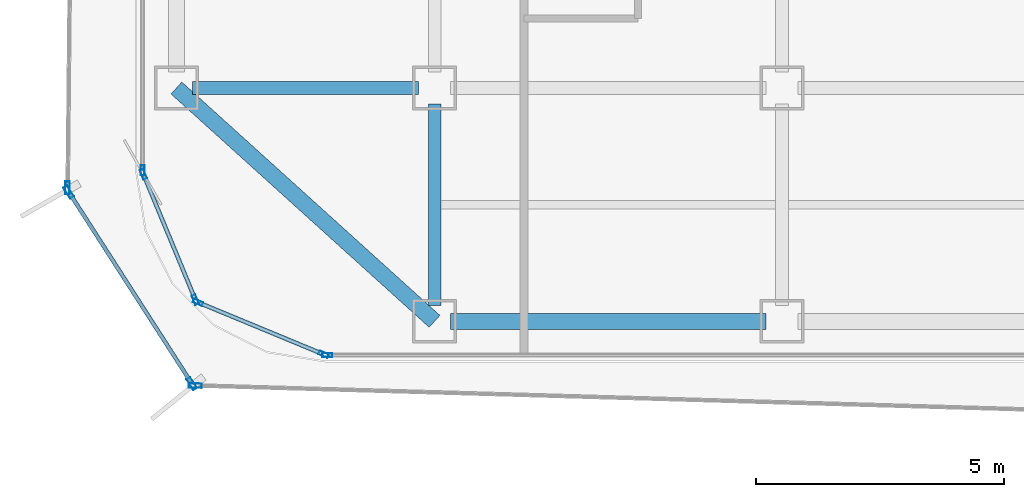
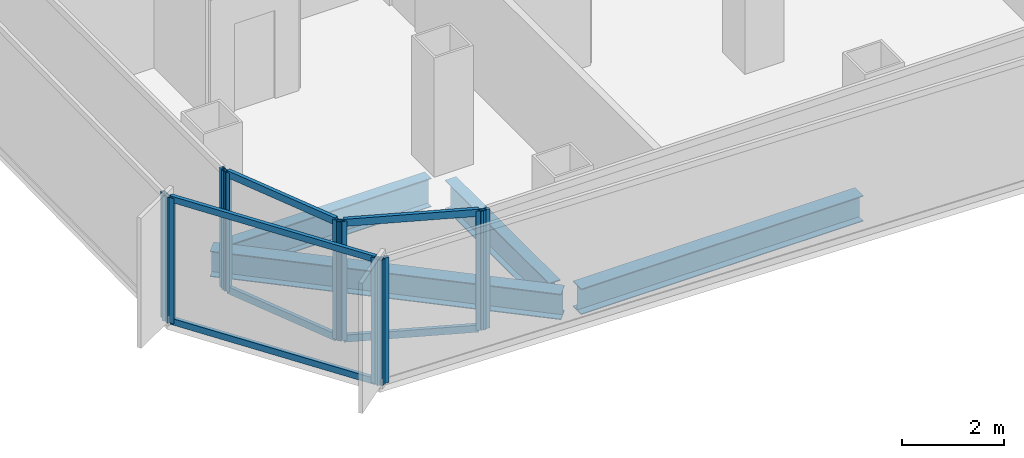
# One storey, part 2 of 21: 16 members, 4 beams, 7 elements without a shape of their own.
"""IFC4 building model written with IfcOpenShell, lengths in metres."""

from ifc_helpers import new_model, si_unit, direction, frame, origin, origin_2d, place, context, subcontext, project, spatial, hollow_rectangle, i_section, extrude, source, transform, mapped, material, layer, layer_set, material_profile, profile_set, type_object, element, aggregate, save


model = new_model("IFC4")

# Units and contexts
model_context = context("Model", 3, precision=1e-05, world=origin(), true_north=direction((0.0, 1.0)))
body_context = subcontext(model_context, "Body", "Model", "MODEL_VIEW")
ifc_project = project(units=[si_unit("LENGTHUNIT", "METRE"), si_unit("AREAUNIT", "SQUARE_METRE"), si_unit("VOLUMEUNIT", "CUBIC_METRE"), si_unit("PLANEANGLEUNIT", "RADIAN"), si_unit("MASSUNIT", "GRAM", prefix="KILO")], contexts=[model_context])

# Site, building, storey
site_placement = place(None, origin())
site = spatial("IfcSite", under=ifc_project, at=site_placement, CompositionType="ELEMENT")
building_placement = place(site_placement, origin())
building = spatial("IfcBuilding", under=site, at=building_placement, Name="Kolveth Station Tower", CompositionType="ELEMENT")
storey_placement = place(building_placement, frame((0.0, 0.0, 148.39990234375)))
storey = spatial("IfcBuildingStorey", under=building, at=storey_placement, Name="L41", CompositionType="ELEMENT", Elevation=148.39990234375)

# Beams
ifc_material_1 = material(Name="Steel S355", Category="steel")
ifc_material_profile_1 = material_profile(ifc_material_1, i_section(OverallWidth=0.323974609375, OverallDepth=0.611083984375, WebThickness=0.0126953125, FlangeThickness=0.01904296875, at=origin_2d()), Name="W610x155")
ifc_profile_set_1 = profile_set([ifc_material_profile_1], Name="Steel S355")
beam_type_1 = type_object("IfcBeamType", Name="Beam_SP2", PredefinedType="SPANDREL", material=ifc_profile_set_1)
shared_shape_1 = source(origin(), body_context, "Body", "SweptSolid", [
    extrude(i_section(OverallWidth=0.323974609375, OverallDepth=0.611083984375, WebThickness=0.0126953125, FlangeThickness=0.01904296875, at=origin_2d()), origin(), (0.0, 0.0, 1.0), 6.35986328125),
])
beam_1_placement = place(storey_placement, frame((6.320068359375, 0.800048828125, -0.555419921875), z_axis=(1.0, 0.0, 0.0), x_axis=(0.0, 1.0, 0.0)))
element("IfcBeam", 1, at=beam_1_placement, inside=storey, type_object=beam_type_1, Name="L41 Perimeter Spandrel BM-L41-PS-1", PredefinedType="SPANDREL", context=body_context, shape_type="MappedRepresentation", body=[
    mapped(shared_shape_1, transform((0.0, 0.0, 0.0), x_axis=(1.0, 0.0, 0.0), y_axis=(0.0, 1.0, 0.0), z_axis=(0.0, 0.0, 1.0), scale=1.0)),
])
shared_shape_2 = source(origin(), body_context, "Body", "SweptSolid", [
    extrude(i_section(OverallWidth=0.323974609375, OverallDepth=0.611083984375, WebThickness=0.0126953125, FlangeThickness=0.01904296875, at=origin_2d()), origin(), (0.0, 0.0, 1.0), 7.00927734375),
])
beam_2_placement = place(storey_placement, frame((0.800048828125, 5.5, -0.555419921875), z_axis=(0.741874009795, -0.670539300557, 0.0), x_axis=(0.670539300557, 0.741874009795, 0.0)))
element("IfcBeam", 2, at=beam_2_placement, inside=storey, type_object=beam_type_1, Name="L41 Corner Edge Girder BM-L41-CNR-SW", PredefinedType="SPANDREL", context=body_context, shape_type="MappedRepresentation", body=[
    mapped(shared_shape_2, transform((0.0, 0.0, 0.0), x_axis=(1.0, 0.0, 0.0), y_axis=(0.0, 1.0, 0.0), z_axis=(0.0, 0.0, 1.0), scale=1.0)),
])
ifc_material_profile_2 = material_profile(ifc_material_1, i_section(OverallWidth=0.25390625, OverallDepth=0.68798828125, WebThickness=0.01318359375, FlangeThickness=0.02099609375, at=origin_2d()), Name="W690x152")
ifc_profile_set_2 = profile_set([ifc_material_profile_2], Name="Steel S355")
beam_type_2 = type_object("IfcBeamType", Name="Beam_B4", PredefinedType="BEAM", material=ifc_profile_set_2)
shared_shape_3 = source(origin(), body_context, "Body", "SweptSolid", [
    extrude(i_section(OverallWidth=0.25390625, OverallDepth=0.68798828125, WebThickness=0.01318359375, FlangeThickness=0.02099609375, at=origin_2d()), origin(), (0.0, 0.0, 1.0), 4.559814453125),
])
beam_3_placement = place(storey_placement, frame((1.1201171875, 5.5, -0.593994140625), z_axis=(1.0, 0.0, 0.0), x_axis=(0.0, 1.0, 0.0)))
element("IfcBeam", 3, at=beam_3_placement, inside=storey, type_object=beam_type_2, Name="L41 Primary Girder BM-L41-GY55-1", PredefinedType="BEAM", context=body_context, shape_type="MappedRepresentation", body=[
    mapped(shared_shape_3, transform((0.0, 0.0, 0.0), x_axis=(1.0, 0.0, 0.0), y_axis=(0.0, 1.0, 0.0), z_axis=(0.0, 0.0, 1.0), scale=1.0)),
])
shared_shape_4 = source(origin(), body_context, "Body", "SweptSolid", [
    extrude(i_section(OverallWidth=0.25390625, OverallDepth=0.68798828125, WebThickness=0.01318359375, FlangeThickness=0.02099609375, at=origin_2d()), origin(), (0.0, 0.0, 1.0), 4.059814453125),
])
beam_4_placement = place(storey_placement, frame((6.0, 1.1201171875, -0.593994140625), z_axis=(0.0, 1.0, 0.0), x_axis=(-1.0, 0.0, 0.0)))
element("IfcBeam", 4, at=beam_4_placement, inside=storey, type_object=beam_type_2, Name="L41 Primary Girder BM-L41-GX60-1", PredefinedType="BEAM", context=body_context, shape_type="MappedRepresentation", body=[
    mapped(shared_shape_4, transform((0.0, 0.0, 0.0), x_axis=(1.0, 0.0, 0.0), y_axis=(0.0, 1.0, 0.0), z_axis=(0.0, 0.0, 1.0), scale=1.0)),
])

# Curtain wall, members
ifc_material_2 = material(Name="Aluminium 6063-T6 and low-E dark glass", Category="aluminium")
ifc_layer_1 = layer(ifc_material_2, 0.18994140625)
ifc_layer_set_1 = layer_set([ifc_layer_1], Name="Aluminium 6063-T6 and low-E dark glass")
curtain_wall_type_1 = type_object("IfcCurtainWallType", Name="CurtainWall_CW-Z2", PredefinedType="NOTDEFINED", material=ifc_layer_set_1)
curtain_wall_1_placement = place(storey_placement, origin())
curtain_wall_1 = element("IfcCurtainWall", 5, at=curtain_wall_1_placement, inside=storey, type_object=curtain_wall_type_1, Name="L41 Inner Thermal Curtain Wall 10", PredefinedType="NOTDEFINED")
ifc_material_3 = material(Name="Black anodized aluminium 6063-T6", Category="aluminium")
ifc_material_profile_3 = material_profile(ifc_material_3, hollow_rectangle(XDim=0.080078125, YDim=0.169921875, WallThickness=0.0048828125, at=origin_2d()), Name="ALU-80x170x5")
ifc_profile_set_3 = profile_set([ifc_material_profile_3], Name="Black anodized aluminium 6063-T6")
member_type_1 = type_object("IfcMemberType", Name="Transom_TR2", PredefinedType="USERDEFINED", material=ifc_profile_set_3)
shared_shape_5 = source(origin(), body_context, "Body", "SweptSolid", [
    extrude(hollow_rectangle(XDim=0.080078125, YDim=0.169921875, WallThickness=0.0048828125, at=origin_2d()), origin(), (0.0, 0.0, 1.0), 2.656494140625),
])
member_1_placement = place(storey_placement, frame((0.150634765625, 3.72607421875, 0.0400390625), z_axis=(0.382676455475, -0.923882422403, 0.0), x_axis=(0.923882422403, 0.382676455475, 0.0)))
member_1 = element("IfcMember", 6, at=member_1_placement, type_object=member_type_1, Name="CW-Z2 transom 1.1", ObjectType="TRANSOM", PredefinedType="USERDEFINED", context=body_context, shape_type="MappedRepresentation", body=[
    mapped(shared_shape_5, transform((0.0, 0.0, 0.0), x_axis=(1.0, 0.0, 0.0), y_axis=(0.0, 1.0, 0.0), z_axis=(0.0, 0.0, 1.0), scale=1.0)),
])
member_2_placement = place(storey_placement, frame((0.150634765625, 3.72607421875, 2.800048828125), z_axis=(0.382676455475, -0.923882422403, 0.0), x_axis=(0.923882422403, 0.382676455475, 0.0)))
member_2 = element("IfcMember", 7, at=member_2_placement, type_object=member_type_1, Name="CW-Z2 transom 1.2", ObjectType="TRANSOM", PredefinedType="USERDEFINED", context=body_context, shape_type="MappedRepresentation", body=[
    mapped(shared_shape_5, transform((0.0, 0.0, 0.0), x_axis=(1.0, 0.0, 0.0), y_axis=(0.0, 1.0, 0.0), z_axis=(0.0, 0.0, 1.0), scale=1.0)),
])

curtain_wall_2_placement = place(storey_placement, origin())
curtain_wall_2 = element("IfcCurtainWall", 8, at=curtain_wall_2_placement, inside=storey, type_object=curtain_wall_type_1, Name="L41 Inner Thermal Curtain Wall 11", PredefinedType="NOTDEFINED")
member_3_placement = place(storey_placement, frame((1.271728515625, 1.167236328125, 0.0400390625), z_axis=(0.923882422403, -0.382676455475, 0.0), x_axis=(0.382676455475, 0.923882422403, 0.0)))
member_3 = element("IfcMember", 9, at=member_3_placement, type_object=member_type_1, Name="CW-Z2 transom 1.1", ObjectType="TRANSOM", PredefinedType="USERDEFINED", context=body_context, shape_type="MappedRepresentation", body=[
    mapped(shared_shape_5, transform((0.0, 0.0, 0.0), x_axis=(1.0, 0.0, 0.0), y_axis=(0.0, 1.0, 0.0), z_axis=(0.0, 0.0, 1.0), scale=1.0)),
])
member_4_placement = place(storey_placement, frame((1.271728515625, 1.167236328125, 2.800048828125), z_axis=(0.923882422403, -0.382676455475, 0.0), x_axis=(0.382676455475, 0.923882422403, 0.0)))
member_4 = element("IfcMember", 10, at=member_4_placement, type_object=member_type_1, Name="CW-Z2 transom 1.2", ObjectType="TRANSOM", PredefinedType="USERDEFINED", context=body_context, shape_type="MappedRepresentation", body=[
    mapped(shared_shape_5, transform((0.0, 0.0, 0.0), x_axis=(1.0, 0.0, 0.0), y_axis=(0.0, 1.0, 0.0), z_axis=(0.0, 0.0, 1.0), scale=1.0)),
])

# Curtain wall, member
ifc_material_4 = material(Name="Black anodized aluminium 6063-T6 and dark solar glass", Category="aluminium")
ifc_layer_2 = layer(ifc_material_4, 0.159912109375)
ifc_layer_set_2 = layer_set([ifc_layer_2], Name="Black anodized aluminium 6063-T6 and dark solar glass")
curtain_wall_type_2 = type_object("IfcCurtainWallType", Name="OUTER SKIN CW-OS", PredefinedType="NOTDEFINED", material=ifc_layer_set_2)
curtain_wall_3_placement = place(storey_placement, origin())
curtain_wall_3 = element("IfcCurtainWall", 11, at=curtain_wall_3_placement, inside=storey, type_object=curtain_wall_type_2, Name="L41 Outer Ventilated Skin Curtain Wall 6", PredefinedType="NOTDEFINED")
ifc_material_profile_4 = material_profile(ifc_material_3, hollow_rectangle(XDim=0.090087890625, YDim=0.260009765625, WallThickness=0.0048828125, at=origin_2d()), Name="ALU-90x260x5")
ifc_profile_set_4 = profile_set([ifc_material_profile_4], Name="Black anodized aluminium 6063-T6")
member_type_2 = type_object("IfcMemberType", Name="FIN MULLION ML-OS", PredefinedType="MULLION", material=ifc_profile_set_4)
shared_shape_6 = source(origin(), body_context, "Body", "SweptSolid", [
    extrude(hollow_rectangle(XDim=0.090087890625, YDim=0.260009765625, WallThickness=0.0048828125, at=origin_2d()), origin(), (0.0, 0.0, 1.0), 2.989990234375),
])
member_5_placement = place(storey_placement, frame((-1.39453125, 3.48974609375, 0.0), z_axis=(0.0, 0.0, 1.0), x_axis=(0.999948904843, -0.010108793407, 0.0)))
member_5 = element("IfcMember", 12, at=member_5_placement, type_object=member_type_2, Name="CW-OS mullion 2", PredefinedType="MULLION", context=body_context, shape_type="MappedRepresentation", body=[
    mapped(shared_shape_6, transform((0.0, 0.0, 0.0), x_axis=(1.0, 0.0, 0.0), y_axis=(0.0, 1.0, 0.0), z_axis=(0.0, 0.0, 1.0), scale=1.0)),
])
aggregate(curtain_wall_3, [member_5])

# Curtain wall, members
curtain_wall_4_placement = place(storey_placement, origin())
curtain_wall_4 = element("IfcCurtainWall", 13, at=curtain_wall_4_placement, inside=storey, type_object=curtain_wall_type_2, Name="L41 Outer Ventilated Skin Curtain Wall 7", PredefinedType="NOTDEFINED")
member_6_placement = place(storey_placement, frame((-1.37060546875, 3.406982421875, 0.0), z_axis=(0.0, 0.0, 1.0), x_axis=(0.841336690772, 0.540511399288, 0.0)))
member_6 = element("IfcMember", 14, at=member_6_placement, type_object=member_type_2, Name="CW-OS mullion 1", PredefinedType="MULLION", context=body_context, shape_type="MappedRepresentation", body=[
    mapped(shared_shape_6, transform((0.0, 0.0, 0.0), x_axis=(1.0, 0.0, 0.0), y_axis=(0.0, 1.0, 0.0), z_axis=(0.0, 0.0, 1.0), scale=1.0)),
])
member_7_placement = place(storey_placement, frame((1.111083984375, -0.455810546875, 0.0), z_axis=(0.0, 0.0, 1.0), x_axis=(0.841336690772, 0.540511399288, 0.0)))
member_7 = element("IfcMember", 15, at=member_7_placement, type_object=member_type_2, Name="CW-OS mullion 2", PredefinedType="MULLION", context=body_context, shape_type="MappedRepresentation", body=[
    mapped(shared_shape_6, transform((0.0, 0.0, 0.0), x_axis=(1.0, 0.0, 0.0), y_axis=(0.0, 1.0, 0.0), z_axis=(0.0, 0.0, 1.0), scale=1.0)),
])

# Curtain wall, member
curtain_wall_5_placement = place(storey_placement, origin())
curtain_wall_5 = element("IfcCurtainWall", 16, at=curtain_wall_5_placement, inside=storey, type_object=curtain_wall_type_2, Name="L41 Outer Ventilated Skin Curtain Wall 8", PredefinedType="NOTDEFINED")
member_8_placement = place(storey_placement, frame((1.18017578125, -0.494873046875, 0.0), z_axis=(0.0, 0.0, 1.0), x_axis=(0.02884275382, 0.999583961232, 0.0)))
member_8 = element("IfcMember", 17, at=member_8_placement, type_object=member_type_2, Name="CW-OS mullion 1", PredefinedType="MULLION", context=body_context, shape_type="MappedRepresentation", body=[
    mapped(shared_shape_6, transform((0.0, 0.0, 0.0), x_axis=(1.0, 0.0, 0.0), y_axis=(0.0, 1.0, 0.0), z_axis=(0.0, 0.0, 1.0), scale=1.0)),
])
aggregate(curtain_wall_5, [member_8])

curtain_wall_6_placement = place(storey_placement, origin())
curtain_wall_6 = element("IfcCurtainWall", 18, at=curtain_wall_6_placement, inside=storey, type_object=curtain_wall_type_1, Name="L41 Inner Thermal Curtain Wall 9", PredefinedType="NOTDEFINED")
ifc_material_profile_5 = material_profile(ifc_material_3, hollow_rectangle(XDim=0.080078125, YDim=0.199951171875, WallThickness=0.0048828125, at=origin_2d()), Name="ALU-80x200x5")
ifc_profile_set_5 = profile_set([ifc_material_profile_5], Name="Black anodized aluminium 6063-T6")
member_type_3 = type_object("IfcMemberType", Name="Mullion_ML2", PredefinedType="MULLION", material=ifc_profile_set_5)
shared_shape_7 = source(origin(), body_context, "Body", "SweptSolid", [
    extrude(hollow_rectangle(XDim=0.080078125, YDim=0.199951171875, WallThickness=0.0048828125, at=origin_2d()), origin(), (0.0, 0.0, 1.0), 2.840087890625),
])
member_9_placement = place(storey_placement, frame((0.1201171875, 3.840087890625, 0.0), z_axis=(0.0, 0.0, 1.0), x_axis=(1.0, 0.0, 0.0)))
member_9 = element("IfcMember", 19, at=member_9_placement, type_object=member_type_3, Name="CW-Z2 mullion 2", PredefinedType="MULLION", context=body_context, shape_type="MappedRepresentation", body=[
    mapped(shared_shape_7, transform((0.0, 0.0, 0.0), x_axis=(1.0, 0.0, 0.0), y_axis=(0.0, 1.0, 0.0), z_axis=(0.0, 0.0, 1.0), scale=1.0)),
])
aggregate(curtain_wall_6, [member_9])

# Member
member_10_placement = place(storey_placement, frame((0.13525390625, 3.762939453125, 0.0), z_axis=(0.0, 0.0, 1.0), x_axis=(0.923887883787, 0.38266326998, 0.0)))
member_10 = element("IfcMember", 20, at=member_10_placement, type_object=member_type_3, Name="CW-Z2 mullion 1", PredefinedType="MULLION", context=body_context, shape_type="MappedRepresentation", body=[
    mapped(shared_shape_7, transform((0.0, 0.0, 0.0), x_axis=(1.0, 0.0, 0.0), y_axis=(0.0, 1.0, 0.0), z_axis=(0.0, 0.0, 1.0), scale=1.0)),
])

member_11_placement = place(storey_placement, frame((1.182373046875, 1.23486328125, 0.0), z_axis=(0.0, 0.0, 1.0), x_axis=(0.923887883787, 0.38266326998, 0.0)))
member_11 = element("IfcMember", 21, at=member_11_placement, type_object=member_type_3, Name="CW-Z2 mullion 2", PredefinedType="MULLION", context=body_context, shape_type="MappedRepresentation", body=[
    mapped(shared_shape_7, transform((0.0, 0.0, 0.0), x_axis=(1.0, 0.0, 0.0), y_axis=(0.0, 1.0, 0.0), z_axis=(0.0, 0.0, 1.0), scale=1.0)),
])

aggregate(curtain_wall_1, [member_10, member_11, member_1, member_2])

member_12_placement = place(storey_placement, frame((1.23486328125, 1.182373046875, 0.0), z_axis=(0.0, 0.0, 1.0), x_axis=(0.38266326998, 0.923887883787, 0.0)))
member_12 = element("IfcMember", 22, at=member_12_placement, type_object=member_type_3, Name="CW-Z2 mullion 1", PredefinedType="MULLION", context=body_context, shape_type="MappedRepresentation", body=[
    mapped(shared_shape_7, transform((0.0, 0.0, 0.0), x_axis=(1.0, 0.0, 0.0), y_axis=(0.0, 1.0, 0.0), z_axis=(0.0, 0.0, 1.0), scale=1.0)),
])

member_13_placement = place(storey_placement, frame((3.762939453125, 0.13525390625, 0.0), z_axis=(0.0, 0.0, 1.0), x_axis=(0.38266326998, 0.923887883787, 0.0)))
member_13 = element("IfcMember", 23, at=member_13_placement, type_object=member_type_3, Name="CW-Z2 mullion 2", PredefinedType="MULLION", context=body_context, shape_type="MappedRepresentation", body=[
    mapped(shared_shape_7, transform((0.0, 0.0, 0.0), x_axis=(1.0, 0.0, 0.0), y_axis=(0.0, 1.0, 0.0), z_axis=(0.0, 0.0, 1.0), scale=1.0)),
])

aggregate(curtain_wall_2, [member_12, member_13, member_3, member_4])

# Curtain wall, member
curtain_wall_7_placement = place(storey_placement, origin())
curtain_wall_7 = element("IfcCurtainWall", 24, at=curtain_wall_7_placement, inside=storey, type_object=curtain_wall_type_1, Name="L41 Inner Thermal Curtain Wall 12", PredefinedType="NOTDEFINED")
member_14_placement = place(storey_placement, frame((3.840087890625, 0.1201171875, 0.0), z_axis=(0.0, 0.0, 1.0), x_axis=(0.0, 1.0, 0.0)))
member_14 = element("IfcMember", 25, at=member_14_placement, type_object=member_type_3, Name="CW-Z2 mullion 1", PredefinedType="MULLION", context=body_context, shape_type="MappedRepresentation", body=[
    mapped(shared_shape_7, transform((0.0, 0.0, 0.0), x_axis=(1.0, 0.0, 0.0), y_axis=(0.0, 1.0, 0.0), z_axis=(0.0, 0.0, 1.0), scale=1.0)),
])
aggregate(curtain_wall_7, [member_14])

# Member
ifc_material_profile_6 = material_profile(ifc_material_3, hollow_rectangle(XDim=0.080078125, YDim=0.14990234375, WallThickness=0.0048828125, at=origin_2d()), Name="ALU-80x150x5")
ifc_profile_set_6 = profile_set([ifc_material_profile_6], Name="Black anodized aluminium 6063-T6")
member_type_4 = type_object("IfcMemberType", Name="Transom_TR-OS", PredefinedType="USERDEFINED", material=ifc_profile_set_6)
shared_shape_8 = source(origin(), body_context, "Body", "SweptSolid", [
    extrude(hollow_rectangle(XDim=0.080078125, YDim=0.14990234375, WallThickness=0.0048828125, at=origin_2d()), origin(), (0.0, 0.0, 1.0), 4.501220703125),
])
member_15_placement = place(storey_placement, frame((-1.34619140625, 3.369140625, 0.0400390625), z_axis=(0.5404889156, -0.84135113485, 0.0), x_axis=(0.84135113485, 0.5404889156, 0.0)))
member_15 = element("IfcMember", 26, at=member_15_placement, type_object=member_type_4, Name="CW-OS transom 1.1", ObjectType="TRANSOM", PredefinedType="USERDEFINED", context=body_context, shape_type="MappedRepresentation", body=[
    mapped(shared_shape_8, transform((0.0, 0.0, 0.0), x_axis=(1.0, 0.0, 0.0), y_axis=(0.0, 1.0, 0.0), z_axis=(0.0, 0.0, 1.0), scale=1.0)),
])

member_16_placement = place(storey_placement, frame((-1.34619140625, 3.369140625, 2.9501953125), z_axis=(0.5404889156, -0.84135113485, 0.0), x_axis=(0.84135113485, 0.5404889156, 0.0)))
member_16 = element("IfcMember", 27, at=member_16_placement, type_object=member_type_4, Name="CW-OS transom 1.2", ObjectType="TRANSOM", PredefinedType="USERDEFINED", context=body_context, shape_type="MappedRepresentation", body=[
    mapped(shared_shape_8, transform((0.0, 0.0, 0.0), x_axis=(1.0, 0.0, 0.0), y_axis=(0.0, 1.0, 0.0), z_axis=(0.0, 0.0, 1.0), scale=1.0)),
])

aggregate(curtain_wall_4, [member_6, member_7, member_15, member_16])

save(model, "model.ifc")
